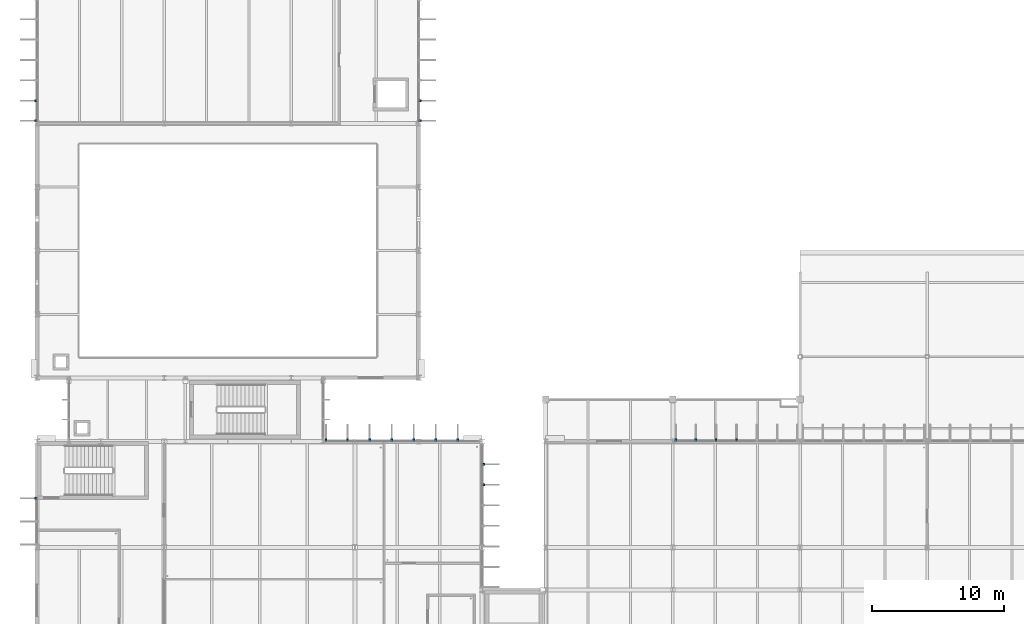
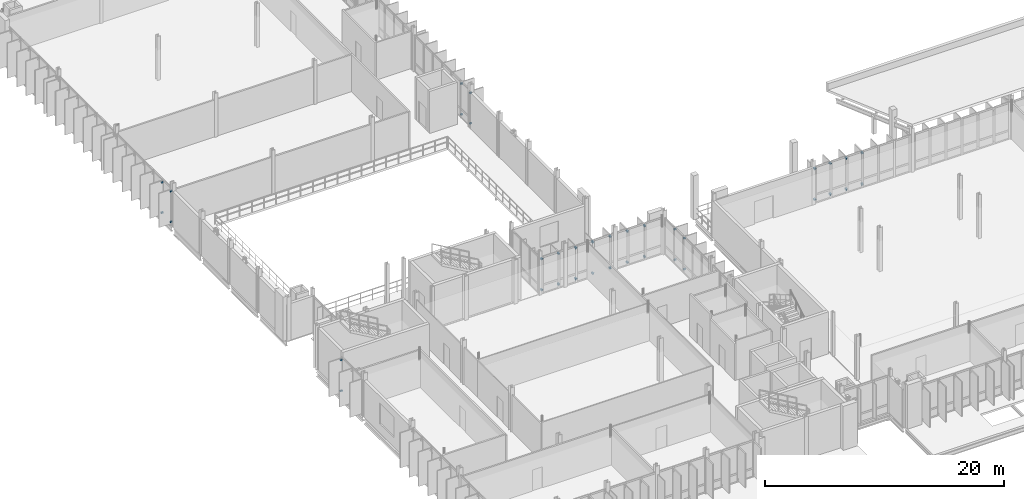
# One storey, part 92 of 107: 36 discrete accessories.
"""IFC4 building model written with IfcOpenShell, lengths in metres."""

from ifc_helpers import new_model, si_unit, direction, frame, origin, origin_2d, place, context, subcontext, project, spatial, rectangle, extrude, material, type_object, element, save


model = new_model("IFC4")

# Units and contexts
model_context = context("Model", 3, precision=1e-05, world=origin(), true_north=direction((0.0, 1.0)))
body_context = subcontext(model_context, "Body", "Model", "MODEL_VIEW")
ifc_project = project(units=[si_unit("LENGTHUNIT", "METRE"), si_unit("AREAUNIT", "SQUARE_METRE"), si_unit("VOLUMEUNIT", "CUBIC_METRE"), si_unit("PLANEANGLEUNIT", "RADIAN"), si_unit("MASSUNIT", "GRAM", prefix="KILO")], contexts=[model_context])

# Site, building, storey
site_placement = place(None, origin())
site = spatial("IfcSite", under=ifc_project, at=site_placement, CompositionType="ELEMENT")
building_placement = place(site_placement, origin())
building = spatial("IfcBuilding", under=site, at=building_placement, Name="Dunescarp Central Library", CompositionType="ELEMENT")
storey_placement = place(building_placement, frame((0.0, 0.0, 5.10009765625)))
storey = spatial("IfcBuildingStorey", under=building, at=storey_placement, Name="L01", CompositionType="ELEMENT", Elevation=5.10009765625)

# Discrete accessories
ifc_material = material(Name="Stainless steel Grade 316L", Category="steel")
discrete_accessory_type = type_object("IfcDiscreteAccessoryType", Name="ARC-ACC-BRK", PredefinedType="BRACKET", material=ifc_material)
for number, where, z_axis, x_axis, name in (
    (1, (21.81494140625, 36.8798828125, 0.27685546875), (0.0, 0.0, 1.0), (0.0, 1.0, 0.0), "Fin bracket BRK-FIN-L01-0050-B"),
    (2, (21.81494140625, 36.8798828125, 3.43505859375), (0.0, 0.0, 1.0), (0.0, 1.0, 0.0), "Fin bracket BRK-FIN-L01-0050-T"),
    (3, (23.43896484375, 36.8798828125, 0.2900390625), (0.0, 0.0, 1.0), (0.0, 1.0, 0.0), "Fin bracket BRK-FIN-L01-0051-B"),
    (4, (23.43896484375, 36.8798828125, 3.43505859375), (0.0, 0.0, 1.0), (0.0, 1.0, 0.0), "Fin bracket BRK-FIN-L01-0051-T"),
    (5, (25.10400390625, 36.8798828125, 0.27392578125), (0.0, 0.0, 1.0), (0.0, 1.0, 0.0), "Fin bracket BRK-FIN-L01-0052-B"),
    (6, (25.10400390625, 36.8798828125, 3.43505859375), (0.0, 0.0, 1.0), (0.0, 1.0, 0.0), "Fin bracket BRK-FIN-L01-0052-T"),
    (7, (26.76806640625, 36.8798828125, 0.23291015625), (0.0, 0.0, 1.0), (0.0, 1.0, 0.0), "Fin bracket BRK-FIN-L01-0053-B"),
    (8, (26.76806640625, 36.8798828125, 3.43505859375), (0.0, 0.0, 1.0), (0.0, 1.0, 0.0), "Fin bracket BRK-FIN-L01-0053-T"),
    (9, (28.431884765625, 36.8798828125, 0.18994140625), (0.0, 0.0, 1.0), (0.0, 1.0, 0.0), "Fin bracket BRK-FIN-L01-0054-B"),
    (10, (28.431884765625, 36.8798828125, 3.423828125), (0.0, 0.0, 1.0), (0.0, 1.0, 0.0), "Fin bracket BRK-FIN-L01-0054-T"),
    (11, (30.095947265625, 36.8798828125, 0.18994140625), (0.0, 0.0, 1.0), (0.0, 1.0, 0.0), "Fin bracket BRK-FIN-L01-0055-B"),
    (12, (30.095947265625, 36.8798828125, 3.3740234375), (0.0, 0.0, 1.0), (0.0, 1.0, 0.0), "Fin bracket BRK-FIN-L01-0055-T"),
    (13, (31.760986328125, 36.8798828125, 0.18994140625), (0.0, 0.0, 1.0), (0.0, 1.0, 0.0), "Fin bracket BRK-FIN-L01-0056-B"),
    (14, (31.760986328125, 36.8798828125, 3.3408203125), (0.0, 0.0, 1.0), (0.0, 1.0, 0.0), "Fin bracket BRK-FIN-L01-0056-T"),
    (15, (-0.080078125, 32.510009765625, 0.27392578125), (0.0, 0.0, 1.0), (-1.0, 0.0, 0.0), "Fin bracket BRK-FIN-L01-0069-B"),
    (16, (-0.080078125, 32.510009765625, 3.43505859375), (0.0, 0.0, 1.0), (-1.0, 0.0, 0.0), "Fin bracket BRK-FIN-L01-0069-T"),
    (17, (33.679931640625, 35.074951171875, 0.2900390625), (0.0, 0.0, 1.0), (1.0, 0.0, 0.0), "Fin bracket BRK-FIN-L01-0070-B"),
    (18, (33.679931640625, 35.074951171875, 3.43505859375), (0.0, 0.0, 1.0), (1.0, 0.0, 0.0), "Fin bracket BRK-FIN-L01-0070-T"),
    (19, (33.679931640625, 33.52490234375, 0.27392578125), (0.0, 0.0, 1.0), (1.0, 0.0, 0.0), "Fin bracket BRK-FIN-L01-0071-B"),
    (20, (33.679931640625, 33.52490234375, 3.43505859375), (0.0, 0.0, 1.0), (1.0, 0.0, 0.0), "Fin bracket BRK-FIN-L01-0071-T"),
    (21, (48.215087890625, 36.8798828125, 0.27685546875), (0.0, 0.0, 1.0), (0.0, 1.0, 0.0), "Fin bracket BRK-FIN-L01-0358-B"),
    (22, (48.215087890625, 36.8798828125, 3.43505859375), (0.0, 0.0, 1.0), (0.0, 1.0, 0.0), "Fin bracket BRK-FIN-L01-0358-T"),
    (23, (49.717041015625, 36.8798828125, 0.2900390625), (0.0, 0.0, 1.0), (0.0, 1.0, 0.0), "Fin bracket BRK-FIN-L01-0359-B"),
    (24, (49.717041015625, 36.8798828125, 3.43505859375), (0.0, 0.0, 1.0), (0.0, 1.0, 0.0), "Fin bracket BRK-FIN-L01-0359-T"),
    (25, (51.258056640625, 36.8798828125, 0.27392578125), (0.0, 0.0, 1.0), (0.0, 1.0, 0.0), "Fin bracket BRK-FIN-L01-0360-B"),
    (26, (51.258056640625, 36.8798828125, 3.43505859375), (0.0, 0.0, 1.0), (0.0, 1.0, 0.0), "Fin bracket BRK-FIN-L01-0360-T"),
    (27, (52.800048828125, 36.8798828125, 0.23291015625), (0.0, 0.0, 1.0), (0.0, 1.0, 0.0), "Fin bracket BRK-FIN-L01-0361-B"),
    (28, (52.800048828125, 36.8798828125, 3.43505859375), (0.0, 0.0, 1.0), (0.0, 1.0, 0.0), "Fin bracket BRK-FIN-L01-0361-T"),
    (29, (-0.080078125, 61.014892578125, 0.27685546875), (0.0, 0.0, 1.0), (-1.0, 0.0, 0.0), "Fin bracket BRK-FIN-L01-0783-B"),
    (30, (-0.080078125, 61.014892578125, 3.40185546875), (0.0, 0.0, 1.0), (-1.0, 0.0, 0.0), "Fin bracket BRK-FIN-L01-0783-T"),
    (31, (-0.080078125, 62.51708984375, 0.2900390625), (0.0, 0.0, 1.0), (-1.0, 0.0, 0.0), "Fin bracket BRK-FIN-L01-0784-B"),
    (32, (-0.080078125, 62.51708984375, 3.40185546875), (0.0, 0.0, 1.0), (-1.0, 0.0, 0.0), "Fin bracket BRK-FIN-L01-0784-T"),
    (33, (28.8798828125, 62.51708984375, 0.18994140625), (0.0, 0.0, 1.0), (1.0, 0.0, 0.0), "Fin bracket BRK-FIN-L01-0795-B"),
    (34, (28.8798828125, 62.51708984375, 3.3408203125), (0.0, 0.0, 1.0), (1.0, 0.0, 0.0), "Fin bracket BRK-FIN-L01-0795-T"),
    (35, (28.8798828125, 61.014892578125, 0.18994140625), (0.0, 0.0, 1.0), (1.0, 0.0, 0.0), "Fin bracket BRK-FIN-L01-0796-B"),
    (36, (28.8798828125, 61.014892578125, 3.30810546875), (0.0, 0.0, 1.0), (1.0, 0.0, 0.0), "Fin bracket BRK-FIN-L01-0796-T"),
):
    element("IfcDiscreteAccessory", number, at=place(storey_placement, frame(where, z_axis=z_axis, x_axis=x_axis)), inside=storey, type_object=discrete_accessory_type, Name=name, PredefinedType="BRACKET", context=body_context, shape_type="SweptSolid", body=[
        extrude(rectangle(XDim=0.219970703125, YDim=0.139892578125, at=origin_2d()), origin(), (0.0, 0.0, 1.0), 0.139892578125),
    ])

save(model, "model.ifc")
